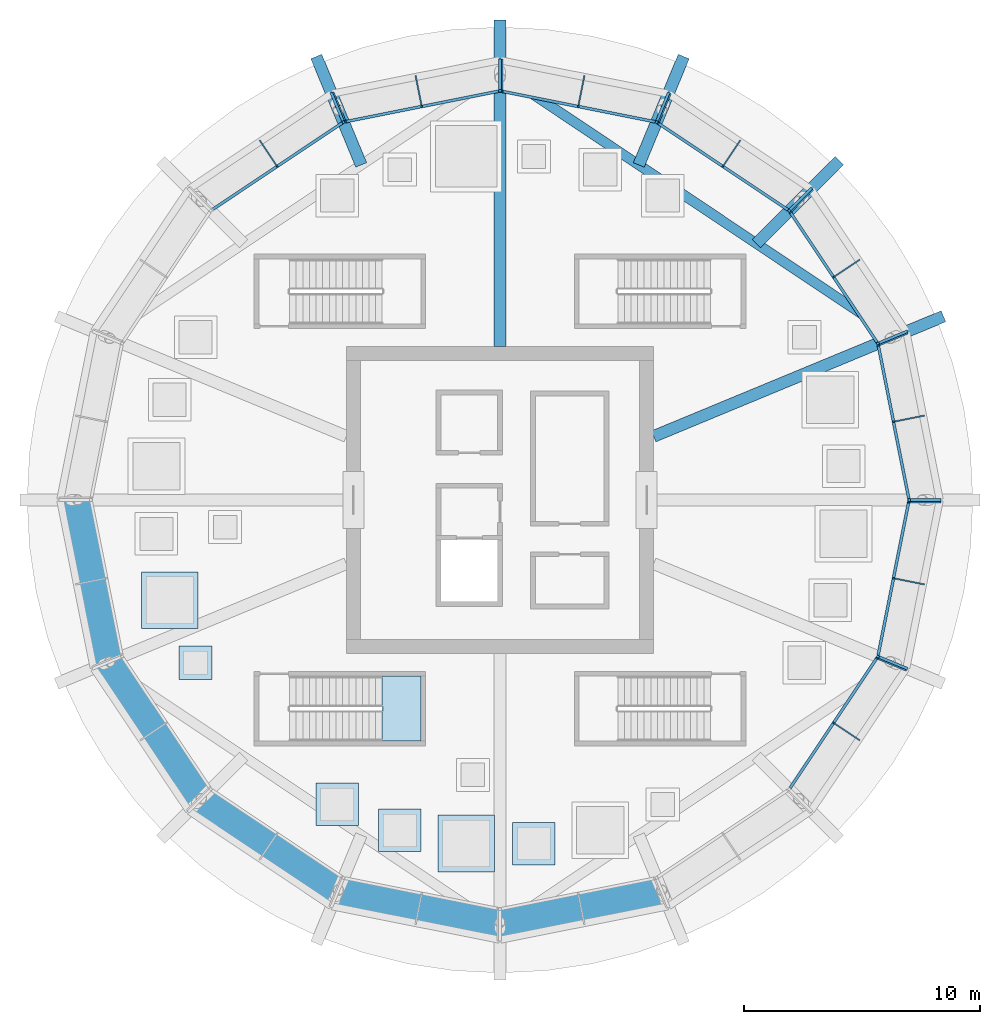
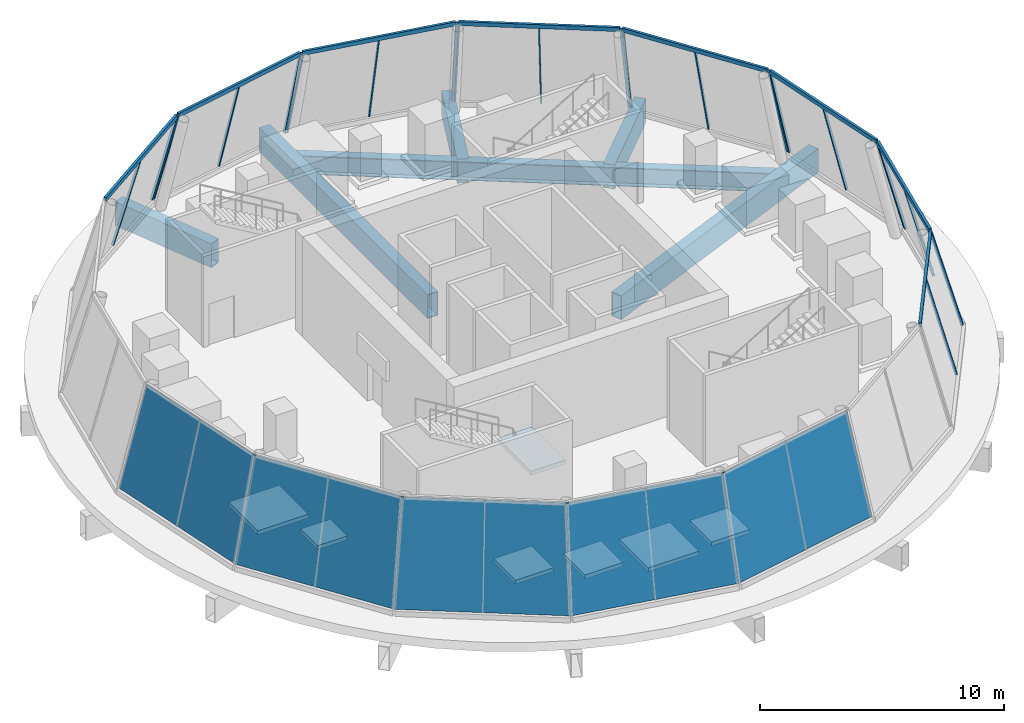
# One storey, part 2 of 7: 30 members, 7 slabs, 6 beams, 5 plates, 14 elements without a shape of their own.
"""IFC4 building model written with IfcOpenShell, lengths in metres."""

import ifcopenshell
import ifcopenshell.guid

model = None  # the IFC model being written
_history = None  # IfcOwnerHistory: only IFC2X3 demands one
_inside = {}  # id of a spatial element -> (the spatial element, [elements in it])
_under = {}  # id of a project, library or spatial element -> (it, [spatial elements below it])
_declared = {}  # id of a project -> (the project, [libraries it declares])
_typed = {}  # id of a type object -> (the type object, [elements of that type])
_made_of = {}  # id of a material, layer set ... -> (it, [elements and type objects made of it])


def new_model(schema):
    """Start an empty IFC model of exactly this schema.

    Asked for "IFC4X3", IfcOpenShell would pick the latest addendum, in which some entities
    have other attributes; the version numbers below select the first issue.
    IFC2X3 requires an IfcOwnerHistory on every rooted entity: one is made here for all.
    """
    global model, _history
    if schema == "IFC4X3":
        model = ifcopenshell.file(schema_version=(4, 3, 0, 0))
    else:
        model = ifcopenshell.file(schema=schema)
    _inside.clear()
    _under.clear()
    _declared.clear()
    _typed.clear()
    _made_of.clear()
    _history = None
    if model.schema == "IFC2X3":
        org = make("IfcOrganization", Name="unknown")
        user = make(
            "IfcPersonAndOrganization",
            ThePerson=make("IfcPerson", FamilyName="unknown"),
            TheOrganization=org,
        )
        app = make(
            "IfcApplication",
            ApplicationDeveloper=org,
            Version="unknown",
            ApplicationFullName="unknown",
            ApplicationIdentifier="unknown",
        )
        _history = make(
            "IfcOwnerHistory",
            OwningUser=user,
            OwningApplication=app,
            ChangeAction="ADDED",
            CreationDate=0,
        )
    return model


def make(cls, **values):
    """One entity of the class cls with the attributes given. An attribute that is None is left unset."""
    return model.create_entity(
        cls, **{name: value for name, value in values.items() if value is not None}
    )


def rooted(cls, **values):
    """An entity with a GlobalId (a new one), such as an element, a storey or a relation."""
    return make(cls, GlobalId=ifcopenshell.guid.new(), OwnerHistory=_history, **values)


def si_unit(unit_type, name, prefix=None):
    """IfcSIUnit, for example si_unit("LENGTHUNIT", "METRE", prefix="MILLI")."""
    return make("IfcSIUnit", UnitType=unit_type, Prefix=prefix, Name=name)


def assignment(units):
    """IfcUnitAssignment: the units of a project."""
    return None if units is None else make("IfcUnitAssignment", Units=units)


def point(xyz):
    """IfcCartesianPoint."""
    return None if xyz is None else make("IfcCartesianPoint", Coordinates=xyz)


def direction(xyz):
    """IfcDirection."""
    return None if xyz is None else make("IfcDirection", DirectionRatios=xyz)


def frame(location, z_axis=None, x_axis=None):
    """IfcAxis2Placement3D, a coordinate frame: its origin and axes. An axis left out is left unset."""
    return make(
        "IfcAxis2Placement3D",
        Location=point(location),
        Axis=direction(z_axis),
        RefDirection=direction(x_axis),
    )


def frame_2d(location, x_axis=None):
    """IfcAxis2Placement2D, a coordinate frame in the plane: its origin and x axis."""
    return make(
        "IfcAxis2Placement2D", Location=point(location), RefDirection=direction(x_axis)
    )


def origin():
    """The frame at (0, 0, 0) with its axes left unset."""
    return frame((0.0, 0.0, 0.0))


def origin_2d():
    """The frame at (0, 0) in the plane with its x axis left unset."""
    return frame_2d((0.0, 0.0))


def place(relative_to, where):
    """IfcLocalPlacement: puts the frame where relative to a parent placement (None: the world)."""
    return make(
        "IfcLocalPlacement", PlacementRelTo=relative_to, RelativePlacement=where
    )


def context(
    kind, dimensions, precision=None, world=None, true_north=None, identifier=None
):
    """IfcGeometricRepresentationContext, for example the 3D "Model" context."""
    return make(
        "IfcGeometricRepresentationContext",
        ContextIdentifier=identifier,
        ContextType=kind,
        CoordinateSpaceDimension=dimensions,
        Precision=precision,
        WorldCoordinateSystem=world,
        TrueNorth=true_north,
    )


def subcontext(parent, identifier, kind, view, scale=None):
    """IfcGeometricRepresentationSubContext, for example "Body" below "Model"."""
    return make(
        "IfcGeometricRepresentationSubContext",
        ContextIdentifier=identifier,
        ContextType=kind,
        ParentContext=parent,
        TargetScale=scale,
        TargetView=view,
    )


def project(units=None, contexts=None):
    """IfcProject with its units and contexts."""
    return rooted(
        "IfcProject",
        Name="project",
        RepresentationContexts=contexts,
        UnitsInContext=assignment(units),
    )


def spatial(cls, under=None, at=None, **own):
    """A site, building, storey or space (cls), placed at a placement, below another one or the project."""
    s = rooted(cls, ObjectPlacement=at, **own)
    if under is not None:
        _under.setdefault(under.id(), (under, []))[1].append(s)
    return s


def polyline(points):
    """IfcPolyline through the points."""
    return make("IfcPolyline", Points=[point(p) for p in points])


def profile(cls, at=None, kind="AREA", **sizes):
    """A parametric profile (cls). Its sizes go by their IFC names, for example OverallWidth=200.0."""
    return make(cls, ProfileType=kind, Position=at, **sizes)


def hollow_rectangle(**sizes):
    """IfcRectangleHollowProfileDef."""
    return profile("IfcRectangleHollowProfileDef", **sizes)


def i_section(**sizes):
    """IfcIShapeProfileDef."""
    return profile("IfcIShapeProfileDef", **sizes)


def outline(outer, holes=None, kind="AREA"):
    """IfcArbitraryClosedProfileDef: a profile drawn as a closed curve; with holes, ...WithVoids."""
    if holes is None:
        return make("IfcArbitraryClosedProfileDef", ProfileType=kind, OuterCurve=outer)
    return make(
        "IfcArbitraryProfileDefWithVoids",
        ProfileType=kind,
        OuterCurve=outer,
        InnerCurves=holes,
    )


def extrude(swept, where, along, depth):
    """IfcExtrudedAreaSolid: the profile swept, set in the frame where, extruded along a direction by depth."""
    return make(
        "IfcExtrudedAreaSolid",
        SweptArea=swept,
        Position=where,
        ExtrudedDirection=direction(along),
        Depth=depth,
    )


def shape(context_of_items, identifier, shape_type, items):
    """IfcShapeRepresentation: the items that make up one representation, for example the "Body"."""
    return make(
        "IfcShapeRepresentation",
        ContextOfItems=context_of_items,
        RepresentationIdentifier=identifier,
        RepresentationType=shape_type,
        Items=items,
    )


def material(Name=None, Category=None):
    """IfcMaterial."""
    return make("IfcMaterial", Name=Name, Category=Category)


def layer(
    of_material, thickness, ventilated=None, Name=None, Category=None, Priority=None
):
    """IfcMaterialLayer: one layer of a wall or slab, of a material (None: an air gap)."""
    return make(
        "IfcMaterialLayer",
        Material=of_material,
        LayerThickness=thickness,
        IsVentilated=ventilated,
        Name=Name,
        Category=Category,
        Priority=Priority,
    )


def layer_set(layers, Name=None):
    """IfcMaterialLayerSet."""
    return make("IfcMaterialLayerSet", MaterialLayers=layers, LayerSetName=Name)


def material_profile(
    of_material, cross_section, Name=None, Category=None, Priority=None
):
    """IfcMaterialProfile: a cross section and its material."""
    return make(
        "IfcMaterialProfile",
        Name=Name,
        Material=of_material,
        Profile=cross_section,
        Priority=Priority,
        Category=Category,
    )


def profile_set(profiles, Name=None, composite=None):
    """IfcMaterialProfileSet."""
    return make(
        "IfcMaterialProfileSet",
        Name=Name,
        MaterialProfiles=profiles,
        CompositeProfile=composite,
    )


def made_of(thing, what):
    """Note that an element or type object is made of a material, layer set ...; save() writes the relation."""
    if what is not None:
        _made_of.setdefault(what.id(), (what, []))[1].append(thing)
    return thing


def type_object(cls, material=None, **own):
    """A type object (cls), such as IfcWallType, which elements share."""
    return made_of(rooted(cls, **own), material)


def element(
    cls,
    number,
    at=None,
    inside=None,
    cuts=None,
    type_object=None,
    material=None,
    context=None,
    identifier="Body",
    shape_type=None,
    held_by="IfcProductDefinitionShape",
    body=None,
    shapes=None,
    **own,
):
    """One element of the class cls, such as IfcWall. Its Tag is "e" and its number.

    at: its placement. inside: the storey or other place that contains it. cuts: it is an
    opening in that element (IfcRelVoidsElement). A single representation is given by context,
    identifier, shape_type and body (its items); several are given by shapes. held_by: the class
    of the entity that holds the representations. save() writes the other relations.
    """
    e = rooted(cls, Tag="e%d" % number, ObjectPlacement=at, **own)
    if body is not None:
        shapes = [shape(context, identifier, shape_type, body)]
    if shapes is not None:
        e.Representation = make(held_by, Representations=shapes)
    if inside is not None:
        _inside.setdefault(inside.id(), (inside, []))[1].append(e)
    if cuts is not None:
        rooted(
            "IfcRelVoidsElement", RelatingBuildingElement=cuts, RelatedOpeningElement=e
        )
    if type_object is not None:
        _typed.setdefault(type_object.id(), (type_object, []))[1].append(e)
    return made_of(e, material)


def aggregate(whole, parts):
    """IfcRelAggregates: a whole, such as a stair, and the parts it consists of."""
    return rooted("IfcRelAggregates", RelatingObject=whole, RelatedObjects=parts)


def save(model, path):
    """Write the relations noted so far, then the file.

    IfcRelAggregates (storeys below a building ...), IfcRelContainedInSpatialStructure (elements
    in a storey), IfcRelDefinesByType, IfcRelAssociatesMaterial and IfcRelDeclares: one each for
    every whole, place, type object, material and project.
    """
    for whole, parts in _under.values():
        aggregate(whole, parts)
    for where, things in _inside.values():
        rooted(
            "IfcRelContainedInSpatialStructure",
            RelatedElements=things,
            RelatingStructure=where,
        )
    for kind, things in _typed.values():
        rooted("IfcRelDefinesByType", RelatedObjects=things, RelatingType=kind)
    for what, things in _made_of.values():
        rooted("IfcRelAssociatesMaterial", RelatedObjects=things, RelatingMaterial=what)
    for by, libraries in _declared.values():
        rooted("IfcRelDeclares", RelatingContext=by, RelatedDefinitions=libraries)
    model.write(path)


model = new_model("IFC4")

# Units and contexts
model_context = context("Model", 3, precision=1e-05, world=origin(), true_north=direction((0.0, 1.0)))
body_context = subcontext(model_context, "Body", "Model", "MODEL_VIEW")
ifc_project = project(units=[si_unit("LENGTHUNIT", "METRE"), si_unit("AREAUNIT", "SQUARE_METRE"), si_unit("VOLUMEUNIT", "CUBIC_METRE"), si_unit("PLANEANGLEUNIT", "RADIAN"), si_unit("MASSUNIT", "GRAM", prefix="KILO")], contexts=[model_context])

# Site, building, storey
site_placement = place(None, origin())
site = spatial("IfcSite", under=ifc_project, at=site_placement, CompositionType="ELEMENT")
building_placement = place(site_placement, origin())
building = spatial("IfcBuilding", under=site, at=building_placement, Name="Corvane Civic Tower", CompositionType="ELEMENT")
storey_placement = place(building_placement, frame((0.0, 0.0, 387.5)))
storey = spatial("IfcBuildingStorey", under=building, at=storey_placement, Name="L92", CompositionType="ELEMENT", Elevation=387.5)

# Beams
ifc_material_1 = material(Name="Steel ASTM A572 Gr 50", Category="steel")
ifc_material_profile_1 = material_profile(ifc_material_1, hollow_rectangle(XDim=0.5, YDim=1.199951171875, WallThickness=0.030029296875, at=origin_2d()), Name="BOX1200X500X30")
ifc_profile_set_1 = profile_set([ifc_material_profile_1], Name="Steel ASTM A572 Gr 50")
beam_type_1 = type_object("IfcBeamType", Name="CROWN FOOT GIRDER BOX1200X500X30", PredefinedType="BEAM", material=ifc_profile_set_1)
beam_1_placement = place(storey_placement, frame((0.0, 6.5, -1.050048828125), z_axis=(0.0, 1.0, 0.0), x_axis=(-1.0, 0.0, 0.0)))
element("IfcBeam", 1, at=beam_1_placement, inside=storey, type_object=beam_type_1, Name="Crown foot girder CF-1", PredefinedType="BEAM", context=body_context, shape_type="SweptSolid", body=[
    extrude(hollow_rectangle(XDim=0.5, YDim=1.199951171875, WallThickness=0.030029296875, at=origin_2d()), origin(), (0.0, 0.0, 1.0), 13.800048828125),
])
beam_2_placement = place(storey_placement, frame((5.86962890625, 14.17041015625, -1.050048828125), z_axis=(0.382696532812, 0.923874106019, 0.0), x_axis=(-0.923874106019, 0.382696532812, 0.0)))
element("IfcBeam", 2, at=beam_2_placement, inside=storey, type_object=beam_type_1, Name="Crown foot girder CF-3", PredefinedType="BEAM", context=body_context, shape_type="SweptSolid", body=[
    extrude(hollow_rectangle(XDim=0.5, YDim=1.199951171875, WallThickness=0.030029296875, at=origin_2d()), origin(), (0.0, 0.0, 1.0), 4.9619140625),
])
beam_3_placement = place(storey_placement, frame((10.845458984375, 10.845458984375, -1.050048828125), z_axis=(0.707106781187, 0.707106781187, 0.0), x_axis=(-0.707106781187, 0.707106781187, 0.0)))
element("IfcBeam", 3, at=beam_3_placement, inside=storey, type_object=beam_type_1, Name="Crown foot girder CF-5", PredefinedType="BEAM", context=body_context, shape_type="SweptSolid", body=[
    extrude(hollow_rectangle(XDim=0.5, YDim=1.199951171875, WallThickness=0.030029296875, at=origin_2d()), origin(), (0.0, 0.0, 1.0), 4.962158203125),
])
beam_4_placement = place(storey_placement, frame((6.5, 2.6923828125, -1.050048828125), z_axis=(0.923875951855, 0.38269207672, 0.0), x_axis=(-0.38269207672, 0.923875951855, 0.0)))
element("IfcBeam", 4, at=beam_4_placement, inside=storey, type_object=beam_type_1, Name="Crown foot girder CF-7", PredefinedType="BEAM", context=body_context, shape_type="SweptSolid", body=[
    extrude(hollow_rectangle(XDim=0.5, YDim=1.199951171875, WallThickness=0.030029296875, at=origin_2d()), origin(), (0.0, 0.0, 1.0), 13.264404296875),
])
beam_5_placement = place(storey_placement, frame((-5.86962890625, 14.17041015625, -1.050048828125), z_axis=(-0.382696532812, 0.923874106019, 0.0), x_axis=(-0.923874106019, -0.382696532812, 0.0)))
element("IfcBeam", 5, at=beam_5_placement, inside=storey, type_object=beam_type_1, Name="Crown foot girder CF-31", PredefinedType="BEAM", context=body_context, shape_type="SweptSolid", body=[
    extrude(hollow_rectangle(XDim=0.5, YDim=1.199951171875, WallThickness=0.030029296875, at=origin_2d()), origin(), (0.0, 0.0, 1.0), 4.9619140625),
])

# Curtain wall, members
ifc_material_2 = material(Name="Aluminium and glass", Category="aluminium")
curtain_wall_type = type_object("IfcCurtainWallType", Name="CROWN-CW-K-FACET", PredefinedType="NOTDEFINED", material=ifc_material_2)
curtain_wall_1_placement = place(storey_placement, origin())
curtain_wall_1 = element("IfcCurtainWall", 6, at=curtain_wall_1_placement, inside=storey, type_object=curtain_wall_type, Name="Glass cone facet 1 row 1", PredefinedType="NOTDEFINED")
ifc_material_3 = material(Name="Steel ASTM A500 Gr C", Category="steel")
ifc_material_profile_2 = material_profile(ifc_material_3, hollow_rectangle(XDim=0.06005859375, YDim=0.1201171875, WallThickness=0.0048828125, at=origin_2d()), Name="RHS 120x60x5")
ifc_profile_set_2 = profile_set([ifc_material_profile_2], Name="Steel ASTM A500 Gr C")
member_type_1 = type_object("IfcMemberType", Name="CROWN-CWK-MULLION-RHS120x60x5", PredefinedType="MULLION", material=ifc_profile_set_2)
member_1_placement = place(storey_placement, frame((-3.55908203125, 17.89208984375, 0.25), z_axis=(0.050584009443, -0.254260349721, 0.965812058606), x_axis=(0.980779020002, 0.195121792539, 0.0)))
member_1 = element("IfcMember", 7, at=member_1_placement, type_object=member_type_1, Name="Cone mullion 1.1M", PredefinedType="MULLION", context=body_context, shape_type="SweptSolid", body=[
    extrude(hollow_rectangle(XDim=0.06005859375, YDim=0.1201171875, WallThickness=0.0048828125, at=origin_2d()), origin(), (0.0, 0.0, 1.0), 4.918212890625),
])
member_2_placement = place(storey_placement, frame((-7.029541015625, 17.20166015625, 0.25), z_axis=(0.101034067538, -0.243859950058, 0.964533276748), x_axis=(0.923847424979, 0.382760937611, 0.0)))
member_2 = element("IfcMember", 8, at=member_2_placement, type_object=member_type_1, Name="Cone mullion 1.1J", PredefinedType="MULLION", context=body_context, shape_type="SweptSolid", body=[
    extrude(hollow_rectangle(XDim=0.06005859375, YDim=0.1201171875, WallThickness=0.0048828125, at=origin_2d()), origin(), (0.0, 0.0, 1.0), 4.924560546875),
])

# Curtain wall, member
curtain_wall_2_placement = place(storey_placement, origin())
curtain_wall_2 = element("IfcCurtainWall", 9, at=curtain_wall_2_placement, inside=storey, type_object=curtain_wall_type, Name="Glass cone facet 2 row 1", PredefinedType="NOTDEFINED")
member_3_placement = place(storey_placement, frame((-10.135009765625, 15.168212890625, 0.25), z_axis=(0.144055922789, -0.215587481968, 0.965800149476), x_axis=(0.831460752908, 0.555583491812, 0.0)))
member_3 = element("IfcMember", 10, at=member_3_placement, type_object=member_type_1, Name="Cone mullion 2.1M", PredefinedType="MULLION", context=body_context, shape_type="SweptSolid", body=[
    extrude(hollow_rectangle(XDim=0.06005859375, YDim=0.1201171875, WallThickness=0.0048828125, at=origin_2d()), origin(), (0.0, 0.0, 1.0), 4.918212890625),
])

# Curtain wall, members
curtain_wall_3_placement = place(storey_placement, origin())
curtain_wall_3 = element("IfcCurtainWall", 11, at=curtain_wall_3_placement, inside=storey, type_object=curtain_wall_type, Name="Glass cone facet 11 row 1", PredefinedType="NOTDEFINED")
member_4_placement = place(storey_placement, frame((15.168212890625, -10.135009765625, 0.25), z_axis=(-0.215587481968, 0.144055922789, 0.965800149476), x_axis=(-0.555583491812, -0.831460752908, 0.0)))
member_4 = element("IfcMember", 12, at=member_4_placement, type_object=member_type_1, Name="Cone mullion 11.1M", PredefinedType="MULLION", context=body_context, shape_type="SweptSolid", body=[
    extrude(hollow_rectangle(XDim=0.06005859375, YDim=0.1201171875, WallThickness=0.0048828125, at=origin_2d()), origin(), (0.0, 0.0, 1.0), 4.918212890625),
])
member_5_placement = place(storey_placement, frame((17.134033203125, -7.19287109375, 0.25), z_axis=(-0.243859950058, 0.101034067538, 0.964533276748), x_axis=(-0.382760937611, -0.923847424979, 0.0)))
member_5 = element("IfcMember", 13, at=member_5_placement, type_object=member_type_1, Name="Cone mullion 11.1J", PredefinedType="MULLION", context=body_context, shape_type="SweptSolid", body=[
    extrude(hollow_rectangle(XDim=0.06005859375, YDim=0.1201171875, WallThickness=0.0048828125, at=origin_2d()), origin(), (0.0, 0.0, 1.0), 4.924560546875),
])

curtain_wall_4_placement = place(storey_placement, origin())
curtain_wall_4 = element("IfcCurtainWall", 14, at=curtain_wall_4_placement, inside=storey, type_object=curtain_wall_type, Name="Glass cone facet 12 row 1", PredefinedType="NOTDEFINED")
member_6_placement = place(storey_placement, frame((17.89208984375, -3.55908203125, 0.25), z_axis=(-0.254260349721, 0.050584009443, 0.965812058606), x_axis=(-0.195121792539, -0.980779020002, 0.0)))
member_6 = element("IfcMember", 15, at=member_6_placement, type_object=member_type_1, Name="Cone mullion 12.1M", PredefinedType="MULLION", context=body_context, shape_type="SweptSolid", body=[
    extrude(hollow_rectangle(XDim=0.06005859375, YDim=0.1201171875, WallThickness=0.0048828125, at=origin_2d()), origin(), (0.0, 0.0, 1.0), 4.918212890625),
])
member_7_placement = place(storey_placement, frame((18.58251953125, -0.08837890625, 0.25), z_axis=(-0.263985620286, 0.0, 0.964526615642), x_axis=(0.0, -1.0, 0.0)))
member_7 = element("IfcMember", 16, at=member_7_placement, type_object=member_type_1, Name="Cone mullion 12.1J", PredefinedType="MULLION", context=body_context, shape_type="SweptSolid", body=[
    extrude(hollow_rectangle(XDim=0.06005859375, YDim=0.1201171875, WallThickness=0.0048828125, at=origin_2d()), origin(), (0.0, 0.0, 1.0), 4.9248046875),
])

curtain_wall_5_placement = place(storey_placement, origin())
curtain_wall_5 = element("IfcCurtainWall", 17, at=curtain_wall_5_placement, inside=storey, type_object=curtain_wall_type, Name="Glass cone facet 13 row 1", PredefinedType="NOTDEFINED")
member_8_placement = place(storey_placement, frame((17.89208984375, 3.55908203125, 0.25), z_axis=(-0.254260349721, -0.050584009443, 0.965812058606), x_axis=(0.195121792539, -0.980779020002, 0.0)))
member_8 = element("IfcMember", 18, at=member_8_placement, type_object=member_type_1, Name="Cone mullion 13.1M", PredefinedType="MULLION", context=body_context, shape_type="SweptSolid", body=[
    extrude(hollow_rectangle(XDim=0.06005859375, YDim=0.1201171875, WallThickness=0.0048828125, at=origin_2d()), origin(), (0.0, 0.0, 1.0), 4.918212890625),
])
member_9_placement = place(storey_placement, frame((17.20166015625, 7.029541015625, 0.25), z_axis=(-0.243859950058, -0.101034067538, 0.964533276748), x_axis=(0.382760937611, -0.923847424979, 0.0)))
member_9 = element("IfcMember", 19, at=member_9_placement, type_object=member_type_1, Name="Cone mullion 13.1J", PredefinedType="MULLION", context=body_context, shape_type="SweptSolid", body=[
    extrude(hollow_rectangle(XDim=0.06005859375, YDim=0.1201171875, WallThickness=0.0048828125, at=origin_2d()), origin(), (0.0, 0.0, 1.0), 4.924560546875),
])

curtain_wall_6_placement = place(storey_placement, origin())
curtain_wall_6 = element("IfcCurtainWall", 20, at=curtain_wall_6_placement, inside=storey, type_object=curtain_wall_type, Name="Glass cone facet 14 row 1", PredefinedType="NOTDEFINED")
member_10_placement = place(storey_placement, frame((15.168212890625, 10.135009765625, 0.25), z_axis=(-0.215587481968, -0.144055922789, 0.965800149476), x_axis=(0.555583491812, -0.831460752908, 0.0)))
member_10 = element("IfcMember", 21, at=member_10_placement, type_object=member_type_1, Name="Cone mullion 14.1M", PredefinedType="MULLION", context=body_context, shape_type="SweptSolid", body=[
    extrude(hollow_rectangle(XDim=0.06005859375, YDim=0.1201171875, WallThickness=0.0048828125, at=origin_2d()), origin(), (0.0, 0.0, 1.0), 4.918212890625),
])
member_11_placement = place(storey_placement, frame((13.2021484375, 13.077392578125, 0.25), z_axis=(-0.186650174812, -0.186650174812, 0.964532749307), x_axis=(0.707106781187, -0.707106781187, 0.0)))
member_11 = element("IfcMember", 22, at=member_11_placement, type_object=member_type_1, Name="Cone mullion 14.1J", PredefinedType="MULLION", context=body_context, shape_type="SweptSolid", body=[
    extrude(hollow_rectangle(XDim=0.06005859375, YDim=0.1201171875, WallThickness=0.0048828125, at=origin_2d()), origin(), (0.0, 0.0, 1.0), 4.924560546875),
])

curtain_wall_7_placement = place(storey_placement, origin())
curtain_wall_7 = element("IfcCurtainWall", 23, at=curtain_wall_7_placement, inside=storey, type_object=curtain_wall_type, Name="Glass cone facet 15 row 1", PredefinedType="NOTDEFINED")
member_12_placement = place(storey_placement, frame((10.135009765625, 15.168212890625, 0.25), z_axis=(-0.144055922789, -0.215587481968, 0.965800149476), x_axis=(0.831460752908, -0.555583491812, 0.0)))
member_12 = element("IfcMember", 24, at=member_12_placement, type_object=member_type_1, Name="Cone mullion 15.1M", PredefinedType="MULLION", context=body_context, shape_type="SweptSolid", body=[
    extrude(hollow_rectangle(XDim=0.06005859375, YDim=0.1201171875, WallThickness=0.0048828125, at=origin_2d()), origin(), (0.0, 0.0, 1.0), 4.918212890625),
])
member_13_placement = place(storey_placement, frame((7.19287109375, 17.134033203125, 0.25), z_axis=(-0.101034067538, -0.243859950058, 0.964533276748), x_axis=(0.923847424979, -0.382760937611, 0.0)))
member_13 = element("IfcMember", 25, at=member_13_placement, type_object=member_type_1, Name="Cone mullion 15.1J", PredefinedType="MULLION", context=body_context, shape_type="SweptSolid", body=[
    extrude(hollow_rectangle(XDim=0.06005859375, YDim=0.1201171875, WallThickness=0.0048828125, at=origin_2d()), origin(), (0.0, 0.0, 1.0), 4.924560546875),
])

curtain_wall_8_placement = place(storey_placement, origin())
curtain_wall_8 = element("IfcCurtainWall", 26, at=curtain_wall_8_placement, inside=storey, type_object=curtain_wall_type, Name="Glass cone facet 16 row 1", PredefinedType="NOTDEFINED")
member_14_placement = place(storey_placement, frame((3.55908203125, 17.89208984375, 0.25), z_axis=(-0.050584009443, -0.254260349721, 0.965812058606), x_axis=(0.980779020002, -0.195121792539, 0.0)))
member_14 = element("IfcMember", 27, at=member_14_placement, type_object=member_type_1, Name="Cone mullion 16.1M", PredefinedType="MULLION", context=body_context, shape_type="SweptSolid", body=[
    extrude(hollow_rectangle(XDim=0.06005859375, YDim=0.1201171875, WallThickness=0.0048828125, at=origin_2d()), origin(), (0.0, 0.0, 1.0), 4.918212890625),
])
member_15_placement = place(storey_placement, frame((0.08837890625, 18.58251953125, 0.25), z_axis=(0.0, -0.263985620286, 0.964526615642), x_axis=(1.0, 0.0, 0.0)))
member_15 = element("IfcMember", 28, at=member_15_placement, type_object=member_type_1, Name="Cone mullion 16.1J", PredefinedType="MULLION", context=body_context, shape_type="SweptSolid", body=[
    extrude(hollow_rectangle(XDim=0.06005859375, YDim=0.1201171875, WallThickness=0.0048828125, at=origin_2d()), origin(), (0.0, 0.0, 1.0), 4.9248046875),
])

# Member
ifc_material_4 = material(Name="Steel ASTM A500 Gr C", Category="steel")
ifc_material_profile_3 = material_profile(ifc_material_4, hollow_rectangle(XDim=0.1201171875, YDim=0.1201171875, WallThickness=0.006103515625, at=origin_2d()), Name="RHS 120x120x6")
ifc_profile_set_3 = profile_set([ifc_material_profile_3], Name="Steel ASTM A500 Gr C")
member_type_2 = type_object("IfcMemberType", Name="CROWN-CWK-RIB-RHS120x120x6", PredefinedType="MULLION", material=ifc_profile_set_3)
member_16_placement = place(storey_placement, frame((0.0, 18.60009765625, 0.25), z_axis=(0.0, -0.263985620286, 0.964526615642), x_axis=(1.0, 0.0, 0.0)))
member_16 = element("IfcMember", 29, at=member_16_placement, type_object=member_type_2, Name="Cone rib 1.1", PredefinedType="MULLION", context=body_context, shape_type="SweptSolid", body=[
    extrude(hollow_rectangle(XDim=0.1201171875, YDim=0.1201171875, WallThickness=0.006103515625, at=origin_2d()), origin(), (0.0, 0.0, 1.0), 4.9248046875),
])

member_17_placement = place(storey_placement, frame((-7.117919921875, 17.18408203125, 0.25), z_axis=(0.101034067538, -0.243859950058, 0.964533276748), x_axis=(0.923847424979, 0.382760937611, 0.0)))
member_17 = element("IfcMember", 30, at=member_17_placement, type_object=member_type_2, Name="Cone rib 2.1", PredefinedType="MULLION", context=body_context, shape_type="SweptSolid", body=[
    extrude(hollow_rectangle(XDim=0.1201171875, YDim=0.1201171875, WallThickness=0.006103515625, at=origin_2d()), origin(), (0.0, 0.0, 1.0), 4.924560546875),
])

member_18_placement = place(storey_placement, frame((17.18408203125, -7.117919921875, 0.25), z_axis=(-0.243859950058, 0.101034067538, 0.964533276748), x_axis=(-0.382760937611, -0.923847424979, 0.0)))
member_18 = element("IfcMember", 31, at=member_18_placement, type_object=member_type_2, Name="Cone rib 12.1", PredefinedType="MULLION", context=body_context, shape_type="SweptSolid", body=[
    extrude(hollow_rectangle(XDim=0.1201171875, YDim=0.1201171875, WallThickness=0.006103515625, at=origin_2d()), origin(), (0.0, 0.0, 1.0), 4.924560546875),
])

member_19_placement = place(storey_placement, frame((18.60009765625, 0.0, 0.25), z_axis=(-0.263985620286, 0.0, 0.964526615642), x_axis=(0.0, -1.0, 0.0)))
member_19 = element("IfcMember", 32, at=member_19_placement, type_object=member_type_2, Name="Cone rib 13.1", PredefinedType="MULLION", context=body_context, shape_type="SweptSolid", body=[
    extrude(hollow_rectangle(XDim=0.1201171875, YDim=0.1201171875, WallThickness=0.006103515625, at=origin_2d()), origin(), (0.0, 0.0, 1.0), 4.9248046875),
])

member_20_placement = place(storey_placement, frame((17.18408203125, 7.117919921875, 0.25), z_axis=(-0.243859950058, -0.101034067538, 0.964533276748), x_axis=(0.382760937611, -0.923847424979, 0.0)))
member_20 = element("IfcMember", 33, at=member_20_placement, type_object=member_type_2, Name="Cone rib 14.1", PredefinedType="MULLION", context=body_context, shape_type="SweptSolid", body=[
    extrude(hollow_rectangle(XDim=0.1201171875, YDim=0.1201171875, WallThickness=0.006103515625, at=origin_2d()), origin(), (0.0, 0.0, 1.0), 4.924560546875),
])

member_21_placement = place(storey_placement, frame((13.152099609375, 13.152099609375, 0.25), z_axis=(-0.186650174812, -0.186650174812, 0.964532749307), x_axis=(0.707106781187, -0.707106781187, 0.0)))
member_21 = element("IfcMember", 34, at=member_21_placement, type_object=member_type_2, Name="Cone rib 15.1", PredefinedType="MULLION", context=body_context, shape_type="SweptSolid", body=[
    extrude(hollow_rectangle(XDim=0.1201171875, YDim=0.1201171875, WallThickness=0.006103515625, at=origin_2d()), origin(), (0.0, 0.0, 1.0), 4.924560546875),
])

member_22_placement = place(storey_placement, frame((7.117919921875, 17.18408203125, 0.25), z_axis=(-0.101034067538, -0.243859950058, 0.964533276748), x_axis=(0.923847424979, -0.382760937611, 0.0)))
member_22 = element("IfcMember", 35, at=member_22_placement, type_object=member_type_2, Name="Cone rib 16.1", PredefinedType="MULLION", context=body_context, shape_type="SweptSolid", body=[
    extrude(hollow_rectangle(XDim=0.1201171875, YDim=0.1201171875, WallThickness=0.006103515625, at=origin_2d()), origin(), (0.0, 0.0, 1.0), 4.924560546875),
])

ifc_material_5 = material(Name="Steel ASTM A500 Gr C", Category="steel")
ifc_material_profile_4 = material_profile(ifc_material_5, hollow_rectangle(XDim=0.1201171875, YDim=0.199951171875, WallThickness=0.006103515625, at=origin_2d()), Name="RHS 200x120x6")
ifc_profile_set_4 = profile_set([ifc_material_profile_4], Name="Steel ASTM A500 Gr C")
member_type_3 = type_object("IfcMemberType", Name="CROWN-CWK-RING-RHS200x120x6", PredefinedType="USERDEFINED", material=ifc_profile_set_4)
member_23_placement = place(storey_placement, frame((-0.058837890625, 17.288330078125, 5.0), z_axis=(-0.980785498155, -0.195089227303, 0.0), x_axis=(0.195089227303, -0.980785498155, 0.0)))
member_23 = element("IfcMember", 36, at=member_23_placement, type_object=member_type_3, Name="Cone ring member 1.1", ObjectType="TRANSOM", PredefinedType="USERDEFINED", context=body_context, shape_type="SweptSolid", body=[
    extrude(hollow_rectangle(XDim=0.1201171875, YDim=0.199951171875, WallThickness=0.006103515625, at=origin_2d()), origin(), (0.0, 0.0, 1.0), 6.630126953125),
])

aggregate(curtain_wall_1, [member_16, member_23, member_1, member_2])

member_24_placement = place(storey_placement, frame((-6.670166015625, 15.94970703125, 5.0), z_axis=(-0.831472024621, -0.555566622713, 0.0), x_axis=(0.555566622713, -0.831472024621, 0.0)))
member_24 = element("IfcMember", 37, at=member_24_placement, type_object=member_type_3, Name="Cone ring member 2.1", ObjectType="TRANSOM", PredefinedType="USERDEFINED", context=body_context, shape_type="SweptSolid", body=[
    extrude(hollow_rectangle(XDim=0.1201171875, YDim=0.199951171875, WallThickness=0.006103515625, at=origin_2d()), origin(), (0.0, 0.0, 1.0), 6.63037109375),
])

aggregate(curtain_wall_2, [member_17, member_24, member_3])

member_25_placement = place(storey_placement, frame((12.26611328125, -12.18310546875, 5.0), z_axis=(0.555566622713, 0.831472024621, 0.0), x_axis=(-0.831472024621, 0.555566622713, 0.0)))
member_25 = element("IfcMember", 38, at=member_25_placement, type_object=member_type_3, Name="Cone ring member 11.1", ObjectType="TRANSOM", PredefinedType="USERDEFINED", context=body_context, shape_type="SweptSolid", body=[
    extrude(hollow_rectangle(XDim=0.1201171875, YDim=0.199951171875, WallThickness=0.006103515625, at=origin_2d()), origin(), (0.0, 0.0, 1.0), 6.63037109375),
])

aggregate(curtain_wall_3, [member_25, member_4, member_5])

member_26_placement = place(storey_placement, frame((15.994873046875, -6.5615234375, 5.0), z_axis=(0.195089227303, 0.980785498155, 0.0), x_axis=(-0.980785498155, 0.195089227303, 0.0)))
member_26 = element("IfcMember", 39, at=member_26_placement, type_object=member_type_3, Name="Cone ring member 12.1", ObjectType="TRANSOM", PredefinedType="USERDEFINED", context=body_context, shape_type="SweptSolid", body=[
    extrude(hollow_rectangle(XDim=0.1201171875, YDim=0.199951171875, WallThickness=0.006103515625, at=origin_2d()), origin(), (0.0, 0.0, 1.0), 6.630126953125),
])

aggregate(curtain_wall_4, [member_18, member_26, member_6, member_7])

member_27_placement = place(storey_placement, frame((17.288330078125, 0.058837890625, 5.0), z_axis=(-0.195089227303, 0.980785498155, 0.0), x_axis=(-0.980785498155, -0.195089227303, 0.0)))
member_27 = element("IfcMember", 40, at=member_27_placement, type_object=member_type_3, Name="Cone ring member 13.1", ObjectType="TRANSOM", PredefinedType="USERDEFINED", context=body_context, shape_type="SweptSolid", body=[
    extrude(hollow_rectangle(XDim=0.1201171875, YDim=0.199951171875, WallThickness=0.006103515625, at=origin_2d()), origin(), (0.0, 0.0, 1.0), 6.630126953125),
])

aggregate(curtain_wall_5, [member_19, member_27, member_8, member_9])

member_28_placement = place(storey_placement, frame((15.94970703125, 6.670166015625, 5.0), z_axis=(-0.555566622713, 0.831472024621, 0.0), x_axis=(-0.831472024621, -0.555566622713, 0.0)))
member_28 = element("IfcMember", 41, at=member_28_placement, type_object=member_type_3, Name="Cone ring member 14.1", ObjectType="TRANSOM", PredefinedType="USERDEFINED", context=body_context, shape_type="SweptSolid", body=[
    extrude(hollow_rectangle(XDim=0.1201171875, YDim=0.199951171875, WallThickness=0.006103515625, at=origin_2d()), origin(), (0.0, 0.0, 1.0), 6.63037109375),
])

aggregate(curtain_wall_6, [member_20, member_28, member_10, member_11])

member_29_placement = place(storey_placement, frame((12.18310546875, 12.26611328125, 5.0), z_axis=(-0.831472024621, 0.555566622713, 0.0), x_axis=(-0.555566622713, -0.831472024621, 0.0)))
member_29 = element("IfcMember", 42, at=member_29_placement, type_object=member_type_3, Name="Cone ring member 15.1", ObjectType="TRANSOM", PredefinedType="USERDEFINED", context=body_context, shape_type="SweptSolid", body=[
    extrude(hollow_rectangle(XDim=0.1201171875, YDim=0.199951171875, WallThickness=0.006103515625, at=origin_2d()), origin(), (0.0, 0.0, 1.0), 6.63037109375),
])

aggregate(curtain_wall_7, [member_21, member_29, member_12, member_13])

member_30_placement = place(storey_placement, frame((6.5615234375, 15.994873046875, 5.0), z_axis=(-0.980785498155, 0.195089227303, 0.0), x_axis=(-0.195089227303, -0.980785498155, 0.0)))
member_30 = element("IfcMember", 43, at=member_30_placement, type_object=member_type_3, Name="Cone ring member 16.1", ObjectType="TRANSOM", PredefinedType="USERDEFINED", context=body_context, shape_type="SweptSolid", body=[
    extrude(hollow_rectangle(XDim=0.1201171875, YDim=0.199951171875, WallThickness=0.006103515625, at=origin_2d()), origin(), (0.0, 0.0, 1.0), 6.630126953125),
])

aggregate(curtain_wall_8, [member_22, member_30, member_14, member_15])

# Beam
ifc_material_6 = material(Name="Steel ASTM A992 Gr 50", Category="steel")
ifc_material_profile_5 = material_profile(ifc_material_6, i_section(OverallWidth=0.419189453125, OverallDepth=0.927001953125, WebThickness=0.019287109375, FlangeThickness=0.031982421875, at=origin_2d()), Name="W36X231")
ifc_profile_set_5 = profile_set([ifc_material_profile_5], Name="Steel ASTM A992 Gr 50")
beam_type_2 = type_object("IfcBeamType", Name="FLOOR HEADER W36X231", PredefinedType="BEAM", material=ifc_profile_set_5)
beam_6_placement = place(storey_placement, frame((0.0, 18.09228515625, -0.91357421875), z_axis=(0.831468773299, -0.555571488675, 0.0), x_axis=(0.555571488675, 0.831468773299, 0.0)))
element("IfcBeam", 44, at=beam_6_placement, inside=storey, type_object=beam_type_2, Name="BM-L92-H01-07", PredefinedType="BEAM", context=body_context, shape_type="SweptSolid", body=[
    extrude(i_section(OverallWidth=0.419189453125, OverallDepth=0.927001953125, WebThickness=0.019287109375, FlangeThickness=0.031982421875, at=origin_2d()), origin(), (0.0, 0.0, 1.0), 20.10302734375),
])

# Curtain wall, plate
curtain_wall_9_placement = place(storey_placement, origin())
curtain_wall_9 = element("IfcCurtainWall", 45, at=curtain_wall_9_placement, inside=storey, type_object=curtain_wall_type, Name="Glass cone facet 5 row 1", PredefinedType="NOTDEFINED")
ifc_material_7 = material(Name="Glass tinted low-e laminated", Category="glass")
ifc_layer_1 = layer(ifc_material_7, 0.030029296875)
ifc_layer_set_1 = layer_set([ifc_layer_1], Name="Glass tinted low-e laminated")
plate_type = type_object("IfcPlateType", Name="CROWN-CWK-PANEL-IGU30", PredefinedType="CURTAIN_PANEL", material=ifc_layer_set_1)
plate_1_placement = place(storey_placement, frame((-18.60009765625, 0.0, 0.25), z_axis=(-0.947242463918, -0.188448595812, 0.259265966311), x_axis=(0.195120067229, -0.980779363242, -1.853551e-06)))
plate_1 = element("IfcPlate", 46, at=plate_1_placement, type_object=plate_type, Name="Cone glass panel 5.1", PredefinedType="CURTAIN_PANEL", context=body_context, shape_type="SweptSolid", body=[
    extrude(outline(polyline([(0.0, 0.0), (7.257402032530451, 1.1102230246251565e-16), (7.003770764412753, 4.9181856008742155), (0.25365681037709303, 4.918158717992585), (0.0, 0.0)])), origin(), (0.0, 0.0, -1.0), 0.030029296875),
])
aggregate(curtain_wall_9, [plate_1])

curtain_wall_10_placement = place(storey_placement, origin())
curtain_wall_10 = element("IfcCurtainWall", 47, at=curtain_wall_10_placement, inside=storey, type_object=curtain_wall_type, Name="Glass cone facet 6 row 1", PredefinedType="NOTDEFINED")
plate_2_placement = place(storey_placement, frame((-17.18408203125, -7.117919921875, 0.25), z_axis=(-0.803040755887, -0.536583736184, 0.259236259899), x_axis=(0.555576744777, -0.831465261249, 1.26104e-07)))
plate_2 = element("IfcPlate", 48, at=plate_2_placement, type_object=plate_type, Name="Cone glass panel 6.1", PredefinedType="CURTAIN_PANEL", context=body_context, shape_type="SweptSolid", body=[
    extrude(outline(polyline([(0.0, 0.0), (7.257286459230759, -1.1102230246251565e-16), (7.003693243644665, 4.918130639020148), (0.25350543423049604, 4.918132467940317), (0.0, 0.0)])), origin(), (0.0, 0.0, -1.0), 0.030029296875),
])
aggregate(curtain_wall_10, [plate_2])

curtain_wall_11_placement = place(storey_placement, origin())
curtain_wall_11 = element("IfcCurtainWall", 49, at=curtain_wall_11_placement, inside=storey, type_object=curtain_wall_type, Name="Glass cone facet 7 row 1", PredefinedType="NOTDEFINED")
plate_3_placement = place(storey_placement, frame((-13.152099609375, -13.152099609375, 0.25), z_axis=(-0.536583736184, -0.803040755887, 0.259236259899), x_axis=(0.831465261249, -0.555576744777, -1.26104e-07)))
plate_3 = element("IfcPlate", 50, at=plate_3_placement, type_object=plate_type, Name="Cone glass panel 7.1", PredefinedType="CURTAIN_PANEL", context=body_context, shape_type="SweptSolid", body=[
    extrude(outline(polyline([(0.0, 0.0), (7.257286459230759, 1.1102230246251565e-16), (7.003781025000263, 4.918132467940317), (0.25359321558609466, 4.9181306390201485), (0.0, 0.0)])), origin(), (0.0, 0.0, -1.0), 0.030029296875),
])
aggregate(curtain_wall_11, [plate_3])

curtain_wall_12_placement = place(storey_placement, origin())
curtain_wall_12 = element("IfcCurtainWall", 51, at=curtain_wall_12_placement, inside=storey, type_object=curtain_wall_type, Name="Glass cone facet 8 row 1", PredefinedType="NOTDEFINED")
plate_4_placement = place(storey_placement, frame((-7.117919921875, -17.18408203125, 0.25), z_axis=(-0.188450974369, -0.947254419802, 0.259220551701), x_axis=(0.980779363208, -0.1951200674, 1.85325e-06)))
plate_4 = element("IfcPlate", 52, at=plate_4_placement, type_object=plate_type, Name="Cone glass panel 8.1", PredefinedType="CURTAIN_PANEL", context=body_context, shape_type="SweptSolid", body=[
    extrude(outline(polyline([(0.0, 0.0), (7.257402032530447, 0.0), (7.003792857235194, 4.9180966449594035), (0.2536789031995191, 4.9181235231320635), (0.0, 0.0)])), origin(), (0.0, 0.0, -1.0), 0.030029296875),
])
aggregate(curtain_wall_12, [plate_4])

curtain_wall_13_placement = place(storey_placement, origin())
curtain_wall_13 = element("IfcCurtainWall", 53, at=curtain_wall_13_placement, inside=storey, type_object=curtain_wall_type, Name="Glass cone facet 9 row 1", PredefinedType="NOTDEFINED")
plate_5_placement = place(storey_placement, frame((0.0, -18.60009765625, 0.25), z_axis=(0.188448595812, -0.947242463918, 0.259265966311), x_axis=(0.980779363242, 0.195120067229, -1.853551e-06)))
plate_5 = element("IfcPlate", 54, at=plate_5_placement, type_object=plate_type, Name="Cone glass panel 9.1", PredefinedType="CURTAIN_PANEL", context=body_context, shape_type="SweptSolid", body=[
    extrude(outline(polyline([(0.0, 0.0), (7.257402032530451, 1.1102230246251565e-16), (7.003770764412753, 4.9181856008742155), (0.25365681037709303, 4.918158717992585), (0.0, 0.0)])), origin(), (0.0, 0.0, -1.0), 0.030029296875),
])
aggregate(curtain_wall_13, [plate_5])

# Slabs
ifc_material_8 = material(Name="Concrete C30/37", Category="concrete")
ifc_layer_2 = layer(ifc_material_8, 0.199951171875)
ifc_layer_set_2 = layer_set([ifc_layer_2], Name="Concrete C30/37")
slab_type_1 = type_object("IfcSlabType", Name="CROWN-SL-PLINTH-200", PredefinedType="USERDEFINED", material=ifc_layer_set_2)
slab_1_placement = place(storey_placement, origin())
element("IfcSlab", 55, at=slab_1_placement, inside=storey, type_object=slab_type_1, Name="Water tank plinth L92-08", ObjectType="PLINTH", PredefinedType="USERDEFINED", context=body_context, shape_type="SweptSolid", body=[
    extrude(outline(polyline([(-12.77099609375, -5.43798828125), (-12.77099609375, -3.0380859375), (-15.1708984375, -3.0380859375), (-15.1708984375, -5.43798828125), (-12.77099609375, -5.43798828125)])), origin(), (0.0, 0.0, 1.0), 0.199951171875),
])
slab_2_placement = place(storey_placement, origin())
element("IfcSlab", 56, at=slab_2_placement, inside=storey, type_object=slab_type_1, Name="Chiller plinth L92-09", ObjectType="PLINTH", PredefinedType="USERDEFINED", context=body_context, shape_type="SweptSolid", body=[
    extrude(outline(polyline([(-12.176025390625, -7.58203125), (-12.176025390625, -6.181884765625), (-13.575927734375, -6.181884765625), (-13.575927734375, -7.58203125), (-12.176025390625, -7.58203125)])), origin(), (0.0, 0.0, 1.0), 0.199951171875),
])
slab_3_placement = place(storey_placement, origin())
element("IfcSlab", 57, at=slab_3_placement, inside=storey, type_object=slab_type_1, Name="Chiller plinth L92-10", ObjectType="PLINTH", PredefinedType="USERDEFINED", context=body_context, shape_type="SweptSolid", body=[
    extrude(outline(polyline([(-5.98193359375, -13.77587890625), (-5.98193359375, -11.97607421875), (-7.781982421875, -11.97607421875), (-7.781982421875, -13.77587890625), (-5.98193359375, -13.77587890625)])), origin(), (0.0, 0.0, 1.0), 0.199951171875),
])
slab_4_placement = place(storey_placement, origin())
element("IfcSlab", 58, at=slab_4_placement, inside=storey, type_object=slab_type_1, Name="Air handler plinth L92-11", ObjectType="PLINTH", PredefinedType="USERDEFINED", context=body_context, shape_type="SweptSolid", body=[
    extrude(outline(polyline([(-3.337890625, -14.87109375), (-3.337890625, -13.071044921875), (-5.137939453125, -13.071044921875), (-5.137939453125, -14.87109375), (-3.337890625, -14.87109375)])), origin(), (0.0, 0.0, 1.0), 0.199951171875),
])
slab_5_placement = place(storey_placement, origin())
element("IfcSlab", 59, at=slab_5_placement, inside=storey, type_object=slab_type_1, Name="Water tank plinth L92-12", ObjectType="PLINTH", PredefinedType="USERDEFINED", context=body_context, shape_type="SweptSolid", body=[
    extrude(outline(polyline([(-0.23095703125, -15.72998046875), (-0.23095703125, -13.330078125), (-2.631103515625, -13.330078125), (-2.631103515625, -15.72998046875), (-0.23095703125, -15.72998046875)])), origin(), (0.0, 0.0, 1.0), 0.199951171875),
])
slab_6_placement = place(storey_placement, origin())
element("IfcSlab", 60, at=slab_6_placement, inside=storey, type_object=slab_type_1, Name="Chiller plinth L92-13", ObjectType="PLINTH", PredefinedType="USERDEFINED", context=body_context, shape_type="SweptSolid", body=[
    extrude(outline(polyline([(2.3310546875, -15.429931640625), (2.3310546875, -13.6298828125), (0.531005859375, -13.6298828125), (0.531005859375, -15.429931640625), (2.3310546875, -15.429931640625)])), origin(), (0.0, 0.0, 1.0), 0.199951171875),
])

# Stair, slab
ifc_material_9 = material(Name="Concrete C40/50", Category="concrete")
stair_type = type_object("IfcStairType", Name="ST-STAIR-HALFTURN", PredefinedType="HALF_TURN_STAIR", material=ifc_material_9)
stair_placement = place(storey_placement, origin())
stair = element("IfcStair", 61, at=stair_placement, inside=storey, type_object=stair_type, Name="L92 Exit stair ST3", PredefinedType="HALF_TURN_STAIR")
ifc_material_10 = material(Name="Concrete C40/50", Category="concrete")
ifc_layer_3 = layer(ifc_material_10, 0.199951171875)
ifc_layer_set_3 = layer_set([ifc_layer_3], Name="Concrete C40/50")
slab_type_2 = type_object("IfcSlabType", Name="ST-LANDING-RC", PredefinedType="LANDING", material=ifc_layer_set_3)
slab_7_placement = place(storey_placement, frame((0.0, 0.0, 2.300048828125)))
slab_7 = element("IfcSlab", 62, at=slab_7_placement, type_object=slab_type_2, Name="ST3 landing 1", PredefinedType="LANDING", context=body_context, shape_type="SweptSolid", body=[
    extrude(outline(polyline([(-4.97998046875, -10.199951171875), (-3.35009765625, -10.199951171875), (-3.35009765625, -7.449951171875), (-4.97998046875, -7.449951171875), (-4.97998046875, -10.199951171875)])), origin(), (0.0, 0.0, 1.0), 0.199951171875),
])
aggregate(stair, [slab_7])

save(model, "model.ifc")
